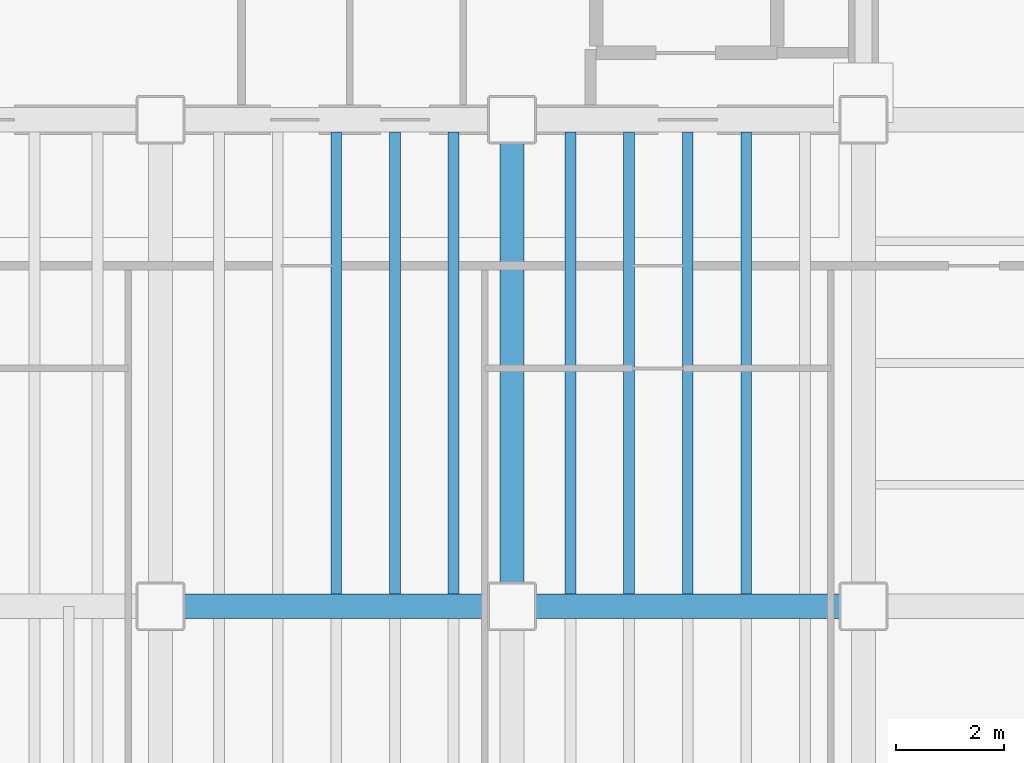
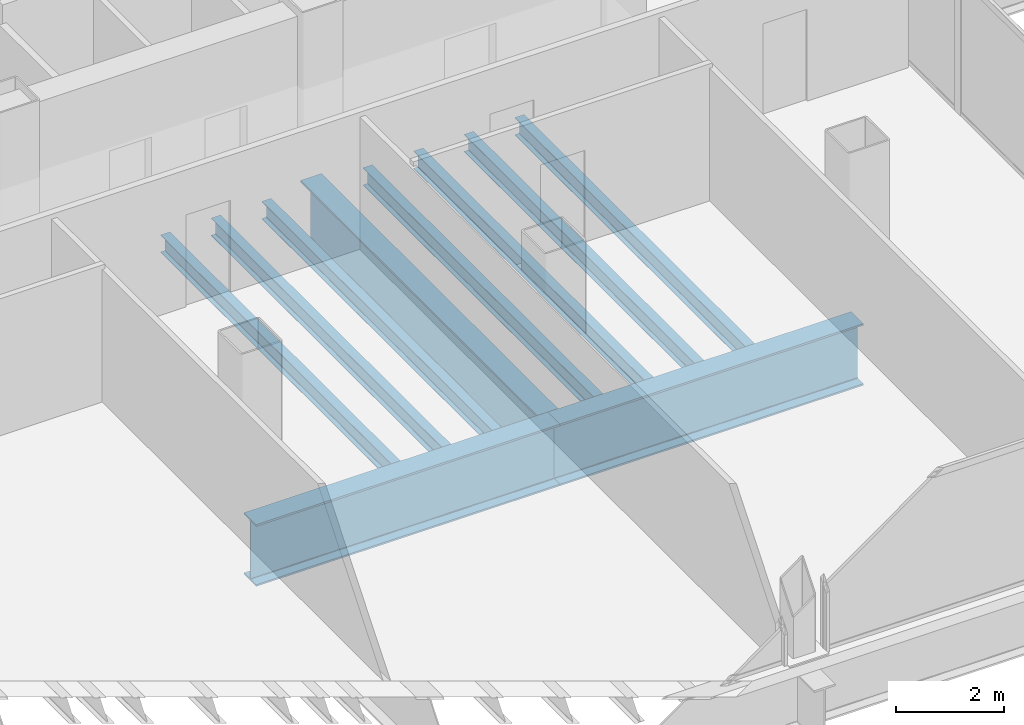
# One storey, part 16 of 24: 10 beams.
"""IFC4 building model written with IfcOpenShell, lengths in metres."""

from ifc_helpers import new_model, si_unit, direction, frame, origin, origin_2d, place, context, subcontext, project, spatial, i_section, extrude, material, material_profile, profile_set, type_object, element, save


model = new_model("IFC4")

# Units and contexts
model_context = context("Model", 3, precision=1e-05, world=origin(), true_north=direction((0.0, 1.0)))
body_context = subcontext(model_context, "Body", "Model", "MODEL_VIEW")
ifc_project = project(units=[si_unit("LENGTHUNIT", "METRE"), si_unit("AREAUNIT", "SQUARE_METRE"), si_unit("VOLUMEUNIT", "CUBIC_METRE"), si_unit("PLANEANGLEUNIT", "RADIAN"), si_unit("MASSUNIT", "GRAM", prefix="KILO")], contexts=[model_context])

# Site, building, storey
site_placement = place(None, origin())
site = spatial("IfcSite", under=ifc_project, at=site_placement, CompositionType="ELEMENT")
building_placement = place(site_placement, origin())
building = spatial("IfcBuilding", under=site, at=building_placement, Name="Noeulbin Bourse Tower", CompositionType="ELEMENT")
storey_placement = place(building_placement, frame((0.0, 0.0, 114.89990234375)))
storey = spatial("IfcBuildingStorey", under=building, at=storey_placement, Name="L28", CompositionType="ELEMENT", Elevation=114.89990234375)

# Beams
ifc_material_1 = material(Name="Steel S355", Category="steel")
ifc_material_profile_1 = material_profile(ifc_material_1, i_section(OverallWidth=0.199951171875, OverallDepth=0.39990234375, WebThickness=0.008056640625, FlangeThickness=0.012939453125, FilletRadius=0.01611328125, at=origin_2d()), Name="H-400x200x8x13", Category="LoadBearing")
ifc_profile_set_1 = profile_set([ifc_material_profile_1], Name="Steel S355")
beam_type_1 = type_object("IfcBeamType", Name="BM-SEC-400", PredefinedType="BEAM", material=ifc_profile_set_1)
for number, where, z_axis, x_axis, name in (
    (1, (34.25, 20.22509765625, -0.43994140625), (0.0, 1.0, 0.0), (-1.0, 0.0, 0.0), "Tower Composite Joist L28-32"),
    (2, (35.333251953125, 20.22509765625, -0.43994140625), (0.0, 1.0, 0.0), (-1.0, 0.0, 0.0), "Tower Composite Joist L28-34"),
    (3, (36.416748046875, 20.22509765625, -0.43994140625), (0.0, 1.0, 0.0), (-1.0, 0.0, 0.0), "Tower Composite Joist L28-36"),
    (4, (38.583251953125, 20.22509765625, -0.43994140625), (0.0, 1.0, 0.0), (-1.0, 0.0, 0.0), "Tower Composite Joist L28-38"),
    (5, (39.666748046875, 20.22509765625, -0.43994140625), (0.0, 1.0, 0.0), (-1.0, 0.0, 0.0), "Tower Composite Joist L28-40"),
    (6, (40.75, 20.22509765625, -0.43994140625), (0.0, 1.0, 0.0), (-1.0, 0.0, 0.0), "Tower Composite Joist L28-42"),
    (7, (41.833251953125, 20.22509765625, -0.43994140625), (0.0, 1.0, 0.0), (-1.0, 0.0, 0.0), "Tower Composite Joist L28-44"),
):
    element("IfcBeam", number, at=place(storey_placement, frame(where, z_axis=z_axis, x_axis=x_axis)), inside=storey, type_object=beam_type_1, Name=name, PredefinedType="BEAM", context=body_context, shape_type="SweptSolid", body=[
        extrude(i_section(OverallWidth=0.199951171875, OverallDepth=0.39990234375, WebThickness=0.008056640625, FlangeThickness=0.012939453125, FilletRadius=0.01611328125, at=origin_2d()), origin(), (0.0, 0.0, 1.0), 8.5498046875),
    ])
ifc_material_2 = material(Name="Steel S460", Category="steel")
ifc_material_profile_2 = material_profile(ifc_material_2, i_section(OverallWidth=0.449951171875, OverallDepth=1.39990234375, WebThickness=0.02392578125, FlangeThickness=0.0400390625, FilletRadius=0.02392578125, at=origin_2d()), Name="PG-1400x450x24x40", Category="LoadBearing")
ifc_profile_set_2 = profile_set([ifc_material_profile_2], Name="Steel S460")
beam_type_2 = type_object("IfcBeamType", Name="BM-TRF-1400", PredefinedType="USERDEFINED", material=ifc_profile_set_2)
for number, where, z_axis, x_axis, name in (
    (8, (31.0, 20.0, -0.93994140625), (1.0, 0.0, 0.0), (0.0, 1.0, 0.0), "Tower Primary Girder EW L28-1.6"),
    (9, (37.5, 20.0, -0.93994140625), (1.0, 0.0, 0.0), (0.0, 1.0, 0.0), "Tower Primary Girder EW L28-1.7"),
):
    element("IfcBeam", number, at=place(storey_placement, frame(where, z_axis=z_axis, x_axis=x_axis)), inside=storey, type_object=beam_type_2, Name=name, ObjectType="GIRDER", PredefinedType="USERDEFINED", context=body_context, shape_type="SweptSolid", body=[
        extrude(i_section(OverallWidth=0.449951171875, OverallDepth=1.39990234375, WebThickness=0.02392578125, FlangeThickness=0.0400390625, FilletRadius=0.02392578125, at=origin_2d()), origin(), (0.0, 0.0, 1.0), 6.5),
    ])
beam_placement = place(storey_placement, frame((37.5, 20.0, -0.93994140625), z_axis=(0.0, 1.0, 0.0), x_axis=(-1.0, 0.0, 0.0)))
element("IfcBeam", 10, at=beam_placement, inside=storey, type_object=beam_type_2, Name="Tower Primary Girder NS L28-4.2", ObjectType="GIRDER", PredefinedType="USERDEFINED", context=body_context, shape_type="SweptSolid", body=[
    extrude(i_section(OverallWidth=0.449951171875, OverallDepth=1.39990234375, WebThickness=0.02392578125, FlangeThickness=0.0400390625, FilletRadius=0.02392578125, at=origin_2d()), origin(), (0.0, 0.0, 1.0), 9.0),
])

save(model, "model.ifc")
